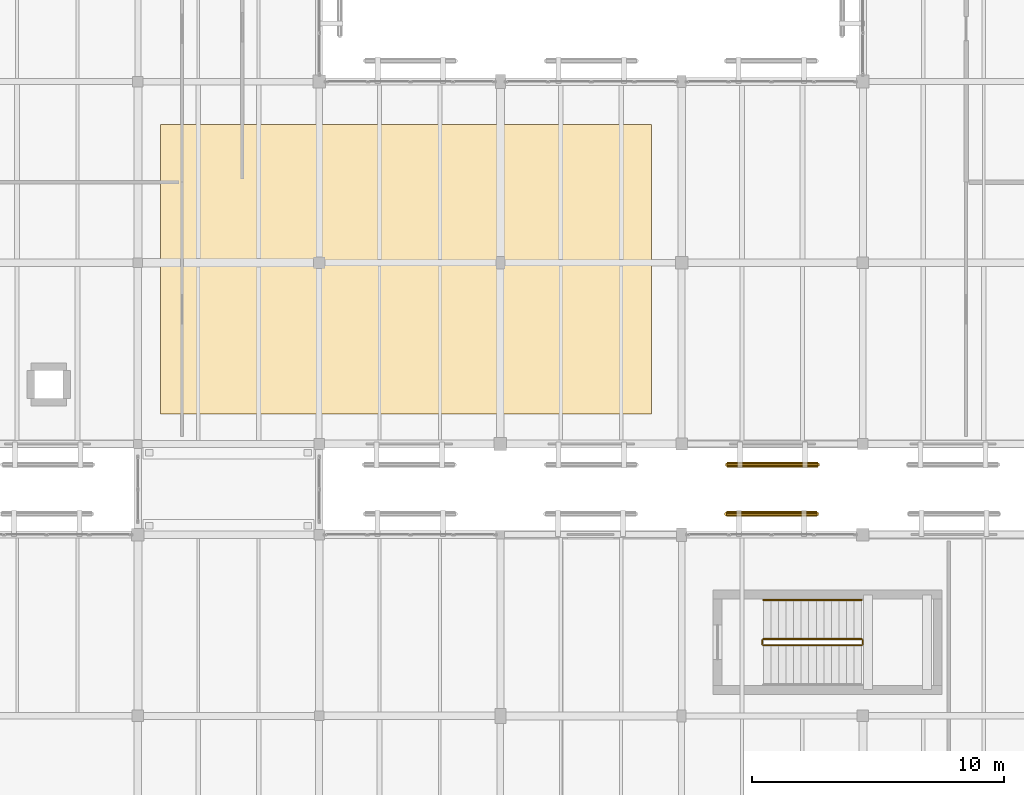
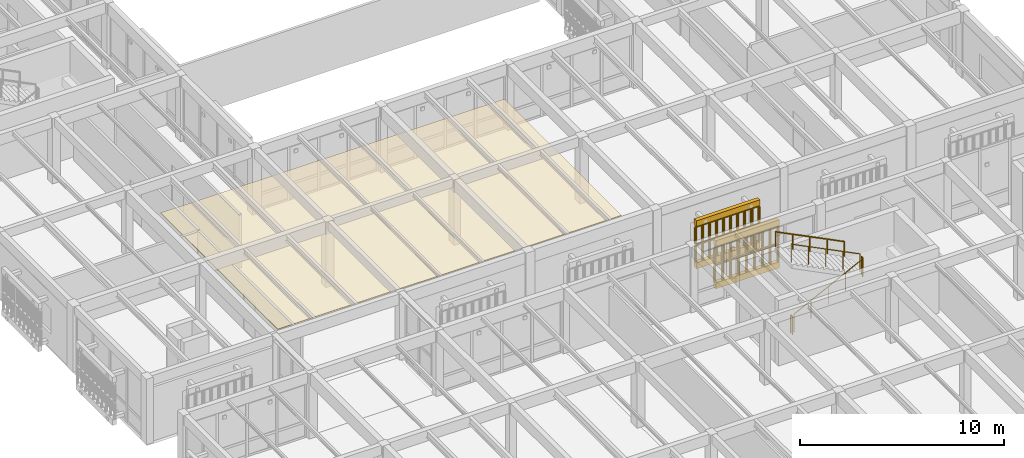
# One storey, part 212 of 217: 9 railings, 5 coverings.
"""IFC4 building model written with IfcOpenShell, lengths in metres."""

from ifc_helpers import new_model, si_unit, direction, frame, origin, origin_2d, place, context, subcontext, project, spatial, polyline, circle, outline, extrude, material, layer, layer_set, type_object, element, save


model = new_model("IFC4")

# Units and contexts
model_context = context("Model", 3, precision=1e-05, world=origin(), true_north=direction((0.0, 1.0)))
body_context = subcontext(model_context, "Body", "Model", "MODEL_VIEW")
ifc_project = project(units=[si_unit("LENGTHUNIT", "METRE"), si_unit("AREAUNIT", "SQUARE_METRE"), si_unit("VOLUMEUNIT", "CUBIC_METRE"), si_unit("PLANEANGLEUNIT", "RADIAN"), si_unit("MASSUNIT", "GRAM", prefix="KILO")], contexts=[model_context])

# Site, building, storey
site_placement = place(None, origin())
site = spatial("IfcSite", under=ifc_project, at=site_placement, CompositionType="ELEMENT")
building_placement = place(site_placement, origin())
building = spatial("IfcBuilding", under=site, at=building_placement, Name="Mazaris Harbour Polytechnic", CompositionType="ELEMENT")
storey_placement = place(building_placement, frame((0.0, 0.0, 9.60009765625)))
storey = spatial("IfcBuildingStorey", under=building, at=storey_placement, Name="L02", CompositionType="ELEMENT", Elevation=9.60009765625)

# Covering
ifc_material_1 = material(Name="Glulam Acoustic Timber Slat", Category="wood")
ifc_layer_1 = layer(ifc_material_1, 0.0400390625, Name="Glulam Acoustic Timber Slat")
ifc_layer_set_1 = layer_set([ifc_layer_1], Name="Glulam Acoustic Timber Slat")
covering_type_1 = type_object("IfcCoveringType", Name="Acoustic Perforated Timber Ceiling 40", PredefinedType="CEILING", material=ifc_layer_set_1)
covering_1_placement = place(storey_placement, frame((0.0, 0.0, 3.099853515625)))
element("IfcCovering", 1, at=covering_1_placement, inside=storey, type_object=covering_type_1, Name="Covering COV-CE-05", PredefinedType="CEILING", context=body_context, shape_type="SweptSolid", body=[
    extrude(outline(polyline([(130.5, 48.0), (150.0, 48.0), (150.0, 59.5), (130.5, 59.5), (130.5, 48.0)])), origin(), (0.0, 0.0, 1.0), 0.0400390625),
])

# Railings
ifc_material_2 = material(Name="Perforated Earth-Coloured Terracotta Block", Category="masonry")
railing_type_1 = type_object("IfcRailingType", Name="Perforated Earth-Block Claustra Lattice 1040", PredefinedType="BALUSTRADE", material=ifc_material_2)
for number, where, name in (
    (2, (152.97509765625, 44.02001953125, 0.52001953125), "V2 L02 Lower Perforated Terracotta Block Screen 77"),
    (3, (152.97509765625, 44.02001953125, 1.60986328125), "V2 L02 Upper Perforated Terracotta Block Screen 77"),
):
    element("IfcRailing", number, at=place(storey_placement, frame(where)), inside=storey, type_object=railing_type_1, Name=name, PredefinedType="BALUSTRADE", context=body_context, shape_type="SweptSolid", body=[
        extrude(circle(Radius=0.06982421875, at=origin_2d()), frame((0.0, 0.0, 1.02001953125), z_axis=(1.0, 0.0, 0.0), x_axis=(0.0, 1.0, 0.0)), (0.0, 0.0, 1.0), 3.599853515625),
        extrude(circle(Radius=0.074951171875, at=origin_2d()), origin(), (0.0, 0.0, 1.0), 0.9501953125),
        extrude(circle(Radius=0.074951171875, at=origin_2d()), frame((0.449951171875, 0.0, 0.0)), (0.0, 0.0, 1.0), 0.9501953125),
        extrude(circle(Radius=0.074951171875, at=origin_2d()), frame((0.89990234375, 0.0, 0.0)), (0.0, 0.0, 1.0), 0.9501953125),
        extrude(circle(Radius=0.074951171875, at=origin_2d()), frame((1.349853515625, 0.0, 0.0)), (0.0, 0.0, 1.0), 0.9501953125),
        extrude(circle(Radius=0.074951171875, at=origin_2d()), frame((1.7998046875, 0.0, 0.0)), (0.0, 0.0, 1.0), 0.9501953125),
        extrude(circle(Radius=0.074951171875, at=origin_2d()), frame((2.25, 0.0, 0.0)), (0.0, 0.0, 1.0), 0.9501953125),
        extrude(circle(Radius=0.074951171875, at=origin_2d()), frame((2.699951171875, 0.0, 0.0)), (0.0, 0.0, 1.0), 0.9501953125),
        extrude(circle(Radius=0.074951171875, at=origin_2d()), frame((3.14990234375, 0.0, 0.0)), (0.0, 0.0, 1.0), 0.9501953125),
        extrude(circle(Radius=0.074951171875, at=origin_2d()), frame((3.599853515625, 0.0, 0.0)), (0.0, 0.0, 1.0), 0.9501953125),
    ])
for number, where, name in (
    (4, (156.610107421875, 45.97998046875, 0.52001953125), "V5 L02 Lower Perforated Terracotta Block Screen 409"),
    (5, (156.610107421875, 45.97998046875, 1.60986328125), "V5 L02 Upper Perforated Terracotta Block Screen 409"),
):
    element("IfcRailing", number, at=place(storey_placement, frame(where)), inside=storey, type_object=railing_type_1, Name=name, PredefinedType="BALUSTRADE", context=body_context, shape_type="SweptSolid", body=[
        extrude(circle(Radius=0.06982421875, at=origin_2d()), frame((0.0, 0.0, 1.02001953125), z_axis=(-1.0, 0.0, 0.0), x_axis=(0.0, -1.0, 0.0)), (0.0, 0.0, 1.0), 3.60009765625),
        extrude(circle(Radius=0.074951171875, at=origin_2d()), origin(), (0.0, 0.0, 1.0), 0.9501953125),
        extrude(circle(Radius=0.074951171875, at=origin_2d()), frame((-0.39990234375, 0.0, 0.0)), (0.0, 0.0, 1.0), 0.9501953125),
        extrude(circle(Radius=0.074951171875, at=origin_2d()), frame((-0.800048828125, 0.0, 0.0)), (0.0, 0.0, 1.0), 0.9501953125),
        extrude(circle(Radius=0.074951171875, at=origin_2d()), frame((-1.199951171875, 0.0, 0.0)), (0.0, 0.0, 1.0), 0.9501953125),
        extrude(circle(Radius=0.074951171875, at=origin_2d()), frame((-1.60009765625, 0.0, 0.0)), (0.0, 0.0, 1.0), 0.9501953125),
        extrude(circle(Radius=0.074951171875, at=origin_2d()), frame((-2.0, 0.0, 0.0)), (0.0, 0.0, 1.0), 0.9501953125),
        extrude(circle(Radius=0.074951171875, at=origin_2d()), frame((-2.400146484375, 0.0, 0.0)), (0.0, 0.0, 1.0), 0.9501953125),
        extrude(circle(Radius=0.074951171875, at=origin_2d()), frame((-2.800048828125, 0.0, 0.0)), (0.0, 0.0, 1.0), 0.9501953125),
        extrude(circle(Radius=0.074951171875, at=origin_2d()), frame((-3.2001953125, 0.0, 0.0)), (0.0, 0.0, 1.0), 0.9501953125),
        extrude(circle(Radius=0.074951171875, at=origin_2d()), frame((-3.60009765625, 0.0, 0.0)), (0.0, 0.0, 1.0), 0.9501953125),
    ])
ifc_material_3 = material(Name="Stainless Steel S355", Category="steel")
railing_type_2 = type_object("IfcRailingType", Name="Stair Wall Handrail 900", PredefinedType="HANDRAIL", material=ifc_material_3)
railing_1_placement = place(storey_placement, frame((158.35009765625, 40.60009765625, 2.25)))
element("IfcRailing", 6, at=railing_1_placement, inside=storey, type_object=railing_type_2, Name="L02 ST04 stair handrail 2", PredefinedType="HANDRAIL", context=body_context, shape_type="SweptSolid", body=[
    extrude(circle(Radius=0.02392578125, at=origin_2d()), frame((0.0, 0.0, 0.8759765625), z_axis=(-0.894438388696, 0.0, 0.447191199406), x_axis=(0.0, -1.0, 0.0)), (0.0, 0.0, 1.0), 4.3603515625),
    extrude(circle(Radius=0.02099609375, at=origin_2d()), origin(), (0.0, 0.0, 1.0), 0.851806640625),
    extrude(circle(Radius=0.02099609375, at=origin_2d()), frame((-0.97509765625, 0.0, 0.487548828125)), (0.0, 0.0, 1.0), 0.851806640625),
    extrude(circle(Radius=0.02099609375, at=origin_2d()), frame((-1.9501953125, 0.0, 0.97509765625)), (0.0, 0.0, 1.0), 0.851806640625),
    extrude(circle(Radius=0.02099609375, at=origin_2d()), frame((-2.925048828125, 0.0, 1.46240234375)), (0.0, 0.0, 1.0), 0.851806640625),
    extrude(circle(Radius=0.02099609375, at=origin_2d()), frame((-3.900146484375, 0.0, 1.949951171875)), (0.0, 0.0, 1.0), 0.851806640625),
])
ifc_material_4 = material(Name="Steel S355", Category="steel")
railing_type_3 = type_object("IfcRailingType", Name="Stair Well Guardrail 1100", PredefinedType="GUARDRAIL", material=ifc_material_4)
railing_2_placement = place(storey_placement, frame((154.449951171875, 38.800048828125, 0.14990234375)))
element("IfcRailing", 7, at=railing_2_placement, inside=storey, type_object=railing_type_3, Name="L02 ST04 stair guard 1", PredefinedType="GUARDRAIL", context=body_context, shape_type="SweptSolid", body=[
    extrude(circle(Radius=0.02392578125, at=origin_2d()), frame((0.0, 0.0, 1.076171875), z_axis=(0.894438388696, 0.0, 0.447191199406), x_axis=(0.0, 1.0, 0.0)), (0.0, 0.0, 1.0), 4.3603515625),
    extrude(circle(Radius=0.02099609375, at=origin_2d()), origin(), (0.0, 0.0, 1.0), 1.052001953125),
    extrude(circle(Radius=0.02099609375, at=origin_2d()), frame((0.97509765625, 0.0, 0.487548828125)), (0.0, 0.0, 1.0), 1.052001953125),
    extrude(circle(Radius=0.02099609375, at=origin_2d()), frame((1.9501953125, 0.0, 0.97509765625)), (0.0, 0.0, 1.0), 1.052001953125),
    extrude(circle(Radius=0.02099609375, at=origin_2d()), frame((2.925048828125, 0.0, 1.46240234375)), (0.0, 0.0, 1.0), 1.052001953125),
    extrude(circle(Radius=0.02099609375, at=origin_2d()), frame((3.900146484375, 0.0, 1.949951171875)), (0.0, 0.0, 1.0), 1.052001953125),
])
railing_3_placement = place(storey_placement, frame((158.39990234375, 38.85009765625, 2.099853515625)))
element("IfcRailing", 8, at=railing_3_placement, inside=storey, type_object=railing_type_3, Name="L02 ST04 stair guard 2", PredefinedType="GUARDRAIL", context=body_context, shape_type="SweptSolid", body=[
    extrude(circle(Radius=0.02392578125, at=origin_2d()), frame((0.0, 0.0, 1.076171875), z_axis=(0.0, 1.0, 0.0), x_axis=(-1.0, 0.0, 0.0)), (0.0, 0.0, 1.0), 0.14990234375),
    extrude(circle(Radius=0.02099609375, at=origin_2d()), origin(), (0.0, 0.0, 1.0), 1.052001953125),
    extrude(circle(Radius=0.02099609375, at=origin_2d()), frame((0.0, 0.14990234375, 0.0)), (0.0, 0.0, 1.0), 1.052001953125),
])
railing_4_placement = place(storey_placement, frame((158.35009765625, 39.050048828125, 2.25)))
element("IfcRailing", 9, at=railing_4_placement, inside=storey, type_object=railing_type_3, Name="L02 ST04 stair guard 3", PredefinedType="GUARDRAIL", context=body_context, shape_type="SweptSolid", body=[
    extrude(circle(Radius=0.02392578125, at=origin_2d()), frame((0.0, 0.0, 1.076171875), z_axis=(-0.894438388696, 0.0, 0.447191199406), x_axis=(0.0, -1.0, 0.0)), (0.0, 0.0, 1.0), 4.3603515625),
    extrude(circle(Radius=0.02099609375, at=origin_2d()), origin(), (0.0, 0.0, 1.0), 1.052001953125),
    extrude(circle(Radius=0.02099609375, at=origin_2d()), frame((-0.97509765625, 0.0, 0.487548828125)), (0.0, 0.0, 1.0), 1.052001953125),
    extrude(circle(Radius=0.02099609375, at=origin_2d()), frame((-1.9501953125, 0.0, 0.97509765625)), (0.0, 0.0, 1.0), 1.052001953125),
    extrude(circle(Radius=0.02099609375, at=origin_2d()), frame((-2.925048828125, 0.0, 1.46240234375)), (0.0, 0.0, 1.0), 1.052001953125),
    extrude(circle(Radius=0.02099609375, at=origin_2d()), frame((-3.900146484375, 0.0, 1.949951171875)), (0.0, 0.0, 1.0), 1.052001953125),
])
railing_5_placement = place(storey_placement, frame((154.39990234375, 38.85009765625, 0.0)))
element("IfcRailing", 10, at=railing_5_placement, inside=storey, type_object=railing_type_3, Name="L02 ST04 stair guard 4", PredefinedType="GUARDRAIL", context=body_context, shape_type="SweptSolid", body=[
    extrude(circle(Radius=0.02392578125, at=origin_2d()), frame((0.0, 0.0, 1.076171875), z_axis=(0.0, 1.0, 0.0), x_axis=(-1.0, 0.0, 0.0)), (0.0, 0.0, 1.0), 0.14990234375),
    extrude(circle(Radius=0.02099609375, at=origin_2d()), origin(), (0.0, 0.0, 1.0), 1.052001953125),
    extrude(circle(Radius=0.02099609375, at=origin_2d()), frame((0.0, 0.14990234375, 0.0)), (0.0, 0.0, 1.0), 1.052001953125),
])

# Coverings
ifc_material_5 = material(Name="Perforated Earth-Coloured Terracotta Block", Category="masonry")
ifc_layer_2 = layer(ifc_material_5, 0.219970703125, Name="Perforated Earth-Coloured Terracotta Block")
ifc_layer_set_2 = layer_set([ifc_layer_2], Name="Perforated Earth-Coloured Terracotta Block")
covering_type_2 = type_object("IfcCoveringType", Name="Terracotta Screen Course Cladding 220", PredefinedType="CLADDING", material=ifc_layer_set_2)
covering_2_placement = place(storey_placement, frame((0.0, 0.0, 0.159912109375)))
element("IfcCovering", 11, at=covering_2_placement, inside=storey, type_object=covering_type_2, Name="V2 L02 Perforated Screen Sill Course 77", PredefinedType="CLADDING", context=body_context, shape_type="SweptSolid", body=[
    extrude(outline(polyline([(152.97509765625, 43.909912109375), (156.574951171875, 43.909912109375), (156.574951171875, 44.1298828125), (152.97509765625, 44.1298828125), (152.97509765625, 43.909912109375)])), origin(), (0.0, 0.0, 1.0), 0.360107421875),
])
covering_3_placement = place(storey_placement, frame((0.0, 0.0, 2.699951171875)))
element("IfcCovering", 12, at=covering_3_placement, inside=storey, type_object=covering_type_2, Name="V2 L02 Perforated Screen Lintel Course 77", PredefinedType="CLADDING", context=body_context, shape_type="SweptSolid", body=[
    extrude(outline(polyline([(152.97509765625, 43.909912109375), (156.574951171875, 43.909912109375), (156.574951171875, 44.1298828125), (152.97509765625, 44.1298828125), (152.97509765625, 43.909912109375)])), origin(), (0.0, 0.0, 1.0), 0.33984375),
])
covering_4_placement = place(storey_placement, frame((0.0, 0.0, 0.159912109375)))
element("IfcCovering", 13, at=covering_4_placement, inside=storey, type_object=covering_type_2, Name="V5 L02 Perforated Screen Sill Course 409", PredefinedType="CLADDING", context=body_context, shape_type="SweptSolid", body=[
    extrude(outline(polyline([(156.610107421875, 46.090087890625), (153.010009765625, 46.090087890625), (153.010009765625, 45.8701171875), (156.610107421875, 45.8701171875), (156.610107421875, 46.090087890625)])), origin(), (0.0, 0.0, 1.0), 0.360107421875),
])
covering_5_placement = place(storey_placement, frame((0.0, 0.0, 2.699951171875)))
element("IfcCovering", 14, at=covering_5_placement, inside=storey, type_object=covering_type_2, Name="V5 L02 Perforated Screen Lintel Course 409", PredefinedType="CLADDING", context=body_context, shape_type="SweptSolid", body=[
    extrude(outline(polyline([(156.610107421875, 46.090087890625), (153.010009765625, 46.090087890625), (153.010009765625, 45.8701171875), (156.610107421875, 45.8701171875), (156.610107421875, 46.090087890625)])), origin(), (0.0, 0.0, 1.0), 0.33984375),
])

save(model, "model.ifc")
